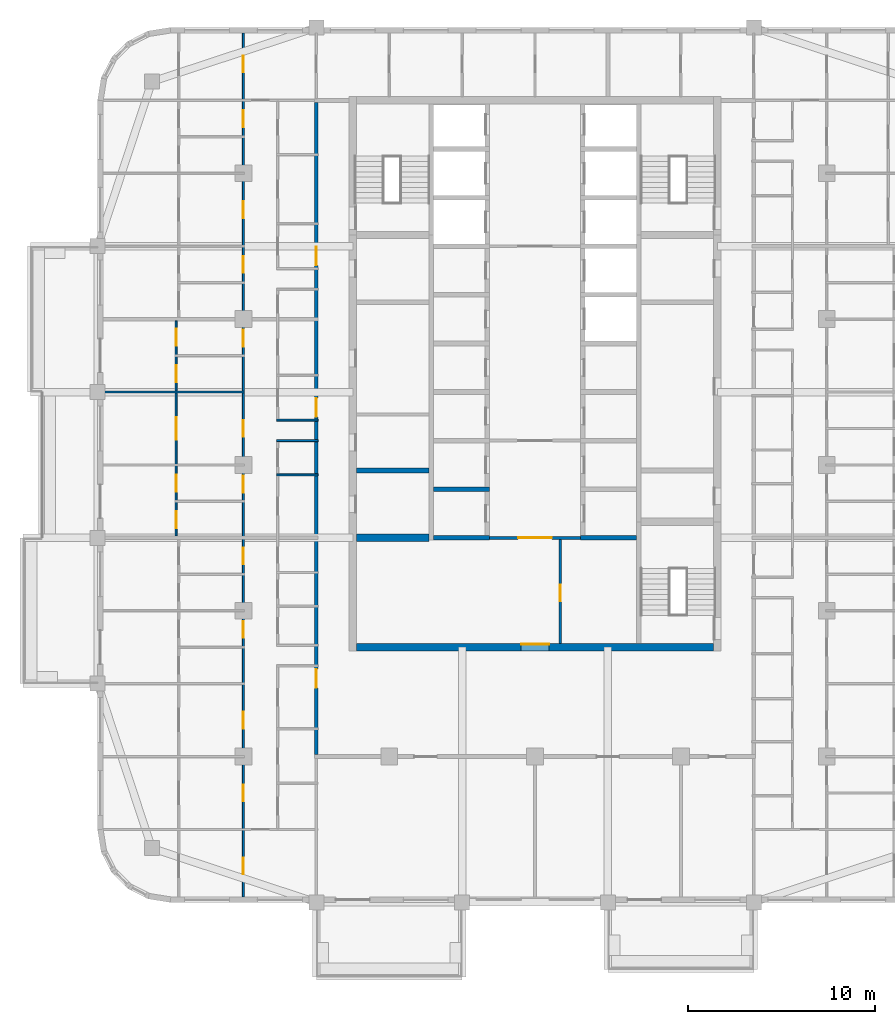
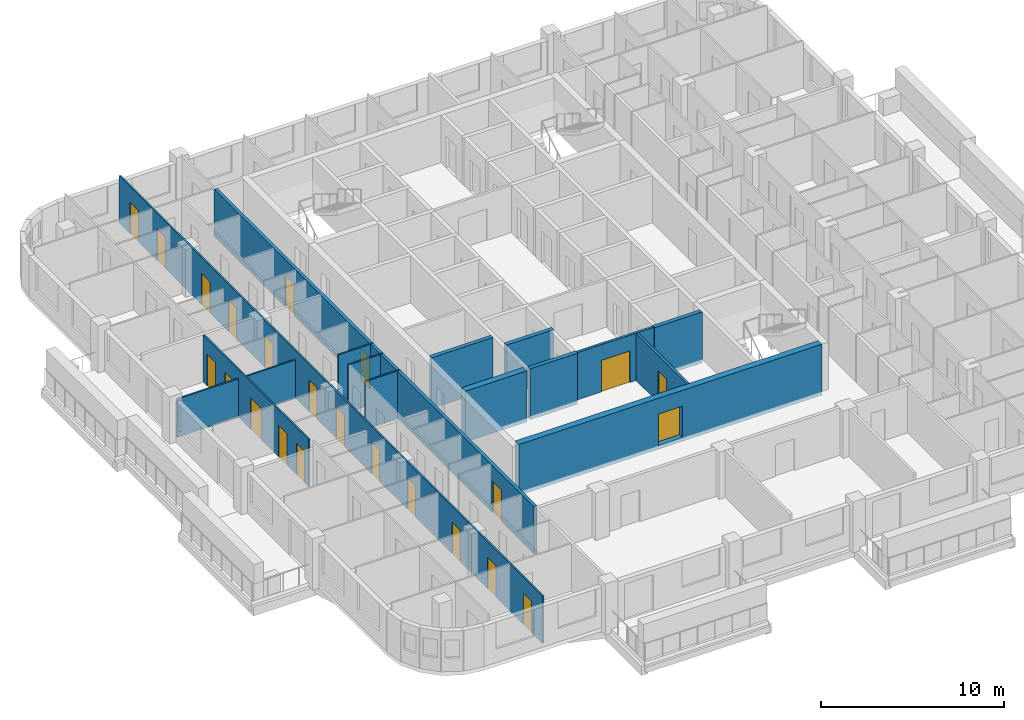
# One storey, part 4 of 16: 23 doors, 15 walls, 23 openings.
"""IFC4 building model written with IfcOpenShell, lengths in metres."""

from ifc_helpers import new_model, si_unit, direction, frame, frame_2d, origin, place, context, subcontext, project, spatial, rectangle, extrude, material, layer, layer_set, type_object, element, fill, save


model = new_model("IFC4")

# Units and contexts
model_context = context("Model", 3, precision=1e-05, world=origin(), true_north=direction((0.0, 1.0)))
body_context = subcontext(model_context, "Body", "Model", "MODEL_VIEW")
ifc_project = project(units=[si_unit("LENGTHUNIT", "METRE"), si_unit("AREAUNIT", "SQUARE_METRE"), si_unit("VOLUMEUNIT", "CUBIC_METRE"), si_unit("PLANEANGLEUNIT", "RADIAN"), si_unit("MASSUNIT", "GRAM", prefix="KILO")], contexts=[model_context])

# Site, building, storey
site_placement = place(None, origin())
site = spatial("IfcSite", under=ifc_project, at=site_placement, CompositionType="ELEMENT")
building_placement = place(site_placement, origin())
building = spatial("IfcBuilding", under=site, at=building_placement, Name="Ludao Terraces", CompositionType="ELEMENT")
storey_placement = place(building_placement, frame((0.0, 0.0, 227.89990234375)))
storey = spatial("IfcBuildingStorey", under=building, at=storey_placement, Name="L62", CompositionType="ELEMENT", Elevation=227.89990234375)

# Wall, opening, door
ifc_material_1 = material(Name="Concrete C50", Category="concrete")
ifc_layer_1 = layer(ifc_material_1, 0.39990234375)
ifc_layer_set_1 = layer_set([ifc_layer_1], Name="Core wall 400 C50")
wall_type_1 = type_object("IfcWallType", Name="Core wall 400 C50", PredefinedType="SOLIDWALL", material=ifc_layer_set_1)
wall_1_placement = place(storey_placement, frame((75.449951171875, 55.25, -0.25), z_axis=(0.0, 0.0, 1.0), x_axis=(1.0, 0.0, 0.0)))
wall_1 = element("IfcWall", 1, at=wall_1_placement, inside=storey, type_object=wall_type_1, Name="Core wall L62 outer-S", PredefinedType="SOLIDWALL", context=body_context, shape_type="SweptSolid", body=[
    extrude(rectangle(XDim=19.10009765625, YDim=0.39990234375, at=frame_2d((9.550048828125, 0.0))), origin(), (0.0, 0.0, 1.0), 3.400146484375),
])
opening_1_placement = place(wall_1_placement, frame((8.800048828125, 0.0, 0.25)))
opening_1 = element("IfcOpeningElement", 2, at=opening_1_placement, cuts=wall_1, Name="Opening R22-028", PredefinedType="OPENING", context=body_context, shape_type="SweptSolid", body=[
    extrude(rectangle(XDim=1.5, YDim=2.10009765625, at=frame_2d((0.75, 1.050048828125))), frame((0.0, 0.2099609375, 0.0), z_axis=(0.0, -1.0, 0.0), x_axis=(1.0, 0.0, 0.0)), (0.0, 0.0, 1.0), 0.419921875),
])
ifc_material_2 = material(Name="Steel Q235", Category="steel")
door_type_1 = type_object("IfcDoorType", Name="INT Lobby door 1500", OperationType="DOUBLE_DOOR_SINGLE_SWING", PredefinedType="DOOR", material=ifc_material_2)
door_1_placement = place(opening_1_placement, origin())
door_1 = element("IfcDoor", 3, at=door_1_placement, inside=storey, type_object=door_type_1, Name="DOOR 028", OperationType="DOUBLE_DOOR_SINGLE_SWING", OverallHeight=2.10009765625, OverallWidth=1.5, PredefinedType="DOOR", context=body_context, shape_type="SweptSolid", body=[
    extrude(rectangle(XDim=1.5, YDim=2.10009765625, at=frame_2d((0.75, 1.050048828125))), frame((0.0, 0.18505859375, 0.0), z_axis=(0.0, -1.0, 0.0), x_axis=(1.0, 0.0, 0.0)), (0.0, 0.0, 1.0), 0.050048828125),
])
fill(opening_1, door_1)

ifc_material_3 = material(Name="Fire-rated gypsum plasterboard", Category="gypsum")
ifc_layer_2 = layer(ifc_material_3, 0.012451171875, Category="gypsum")
ifc_material_4 = material(Name="Mineral wool")
ifc_layer_3 = layer(ifc_material_4, 0.10009765625, Name="insulation")
ifc_layer_4 = layer(ifc_material_2, 0.02490234375, Name="stud")
ifc_layer_5 = layer(ifc_material_3, 0.012451171875, Category="gypsum")
ifc_layer_set_2 = layer_set([ifc_layer_2, ifc_layer_3, ifc_layer_4, ifc_layer_5], Name="INT Core partition 150")
wall_type_2 = type_object("IfcWallType", Name="INT Core partition 150", PredefinedType="PARTITIONING", material=ifc_layer_set_2)
wall_2_placement = place(storey_placement, frame((82.5751953125, 61.10009765625, 0.0), z_axis=(0.0, 0.0, 1.0), x_axis=(1.0, 0.0, 0.0)))
wall_2 = element("IfcWall", 4, at=wall_2_placement, inside=storey, type_object=wall_type_2, Name="PW-L62-PW026", PredefinedType="PARTITIONING", context=body_context, shape_type="SweptSolid", body=[
    extrude(rectangle(XDim=4.849853515625, YDim=0.14990234375, at=frame_2d((2.4248046875, 0.0))), origin(), (0.0, 0.0, 1.0), 3.150146484375),
])
opening_2_placement = place(wall_2_placement, frame((1.52490234375, 0.0, 0.0)))
opening_2 = element("IfcOpeningElement", 5, at=opening_2_placement, cuts=wall_2, Name="Opening R22-047", PredefinedType="OPENING", context=body_context, shape_type="SweptSolid", body=[
    extrude(rectangle(XDim=1.800048828125, YDim=2.10009765625, at=frame_2d((0.89990234375, 1.050048828125))), frame((0.0, 0.0849609375, 0.0), z_axis=(0.0, -1.0, 0.0), x_axis=(1.0, 0.0, 0.0)), (0.0, 0.0, 1.0), 0.169921875),
])
door_type_2 = type_object("IfcDoorType", Name="INT Fire lobby door 1800", OperationType="DOUBLE_DOOR_SINGLE_SWING", PredefinedType="DOOR", material=ifc_material_2)
door_2_placement = place(opening_2_placement, origin())
door_2 = element("IfcDoor", 6, at=door_2_placement, inside=storey, type_object=door_type_2, Name="DOOR 047", OperationType="DOUBLE_DOOR_SINGLE_SWING", OverallHeight=2.10009765625, OverallWidth=1.800048828125, PredefinedType="DOOR", context=body_context, shape_type="SweptSolid", body=[
    extrude(rectangle(XDim=1.800048828125, YDim=2.10009765625, at=frame_2d((0.89990234375, 1.050048828125))), frame((0.0, 0.02490234375, 0.0), z_axis=(0.0, -1.0, 0.0), x_axis=(1.0, 0.0, 0.0)), (0.0, 0.0, 1.0), 0.050048828125),
])
fill(opening_2, door_2)

wall_3_placement = place(storey_placement, frame((86.35009765625, 55.4501953125, 0.0), z_axis=(0.0, 0.0, 1.0), x_axis=(0.0, 1.0, 0.0)))
wall_3 = element("IfcWall", 7, at=wall_3_placement, inside=storey, type_object=wall_type_2, Name="PW-L62-PW084", PredefinedType="PARTITIONING", context=body_context, shape_type="SweptSolid", body=[
    extrude(rectangle(XDim=5.574951171875, YDim=0.14990234375, at=frame_2d((2.78759765625, 0.0))), origin(), (0.0, 0.0, 1.0), 3.150146484375),
])
opening_3_placement = place(wall_3_placement, frame((2.25, 0.0, 0.0)))
opening_3 = element("IfcOpeningElement", 8, at=opening_3_placement, cuts=wall_3, Name="Opening R22-036", PredefinedType="OPENING", context=body_context, shape_type="SweptSolid", body=[
    extrude(rectangle(XDim=0.89990234375, YDim=2.10009765625, at=frame_2d((0.449951171875, 1.050048828125))), frame((0.0, 0.0849609375, 0.0), z_axis=(0.0, -1.0, 0.0), x_axis=(1.0, 0.0, 0.0)), (0.0, 0.0, 1.0), 0.169921875),
])
ifc_material_5 = material(Name="Timber door leaf", Category="wood")
door_type_3 = type_object("IfcDoorType", Name="INT Room door 900", OperationType="SINGLE_SWING_LEFT", PredefinedType="DOOR", material=ifc_material_5)
door_3_placement = place(opening_3_placement, origin())
door_3 = element("IfcDoor", 9, at=door_3_placement, inside=storey, type_object=door_type_3, Name="DOOR 036", OperationType="SINGLE_SWING_RIGHT", OverallHeight=2.10009765625, OverallWidth=0.89990234375, PredefinedType="DOOR", context=body_context, shape_type="SweptSolid", body=[
    extrude(rectangle(XDim=0.89990234375, YDim=2.10009765625, at=frame_2d((0.449951171875, 1.050048828125))), frame((0.0, 0.02490234375, 0.0), z_axis=(0.0, -1.0, 0.0), x_axis=(1.0, 0.0, 0.0)), (0.0, 0.0, 1.0), 0.050048828125),
])
fill(opening_3, door_3)

# Wall, openings, doors
ifc_material_6 = material(Name="Autoclaved aerated concrete block B06 A3.5", Category="concrete")
ifc_layer_6 = layer(ifc_material_6, 0.199951171875)
ifc_layer_set_3 = layer_set([ifc_layer_6], Name="INT Entrance wall 200")
wall_type_3 = type_object("IfcWallType", Name="INT Entrance wall 200", PredefinedType="PARTITIONING", material=ifc_layer_set_3)
wall_4_placement = place(storey_placement, frame((73.300048828125, 49.5, 0.0), z_axis=(0.0, 0.0, 1.0), x_axis=(0.0, 1.0, 0.0)))
wall_4 = element("IfcWall", 10, at=wall_4_placement, inside=storey, type_object=wall_type_3, Name="PW-L62-PW078", PredefinedType="PARTITIONING", context=body_context, shape_type="SweptSolid", body=[
    extrude(rectangle(XDim=34.900146484375, YDim=0.199951171875, at=frame_2d((17.4501953125, 0.0))), origin(), (0.0, 0.0, 1.0), 3.150146484375),
])
opening_4_placement = place(wall_4_placement, frame((3.5751953125, 0.0, 0.0)))
opening_4 = element("IfcOpeningElement", 11, at=opening_4_placement, cuts=wall_4, Name="Opening R22-025", PredefinedType="OPENING", context=body_context, shape_type="SweptSolid", body=[
    extrude(rectangle(XDim=1.0, YDim=2.10009765625, at=frame_2d((0.5, 1.050048828125))), frame((0.0, 0.10986328125, 0.0), z_axis=(0.0, -1.0, 0.0), x_axis=(1.0, 0.0, 0.0)), (0.0, 0.0, 1.0), 0.219970703125),
])
opening_5_placement = place(wall_4_placement, frame((18.0751953125, 0.0, 0.0)))
opening_5 = element("IfcOpeningElement", 12, at=opening_5_placement, cuts=wall_4, Name="Opening R22-074", PredefinedType="OPENING", context=body_context, shape_type="SweptSolid", body=[
    extrude(rectangle(XDim=1.0, YDim=2.10009765625, at=frame_2d((0.5, 1.050048828125))), frame((0.0, 0.10986328125, 0.0), z_axis=(0.0, -1.0, 0.0), x_axis=(1.0, 0.0, 0.0)), (0.0, 0.0, 1.0), 0.219970703125),
])
opening_6_placement = place(wall_4_placement, frame((26.175048828125, 0.0, 0.0)))
opening_6 = element("IfcOpeningElement", 13, at=opening_6_placement, cuts=wall_4, Name="Opening R22-103", PredefinedType="OPENING", context=body_context, shape_type="SweptSolid", body=[
    extrude(rectangle(XDim=1.0, YDim=2.10009765625, at=frame_2d((0.5, 1.050048828125))), frame((0.0, 0.10986328125, 0.0), z_axis=(0.0, -1.0, 0.0), x_axis=(1.0, 0.0, 0.0)), (0.0, 0.0, 1.0), 0.219970703125),
])
door_type_4 = type_object("IfcDoorType", Name="INT Flat entrance door 1000", OperationType="SINGLE_SWING_LEFT", PredefinedType="DOOR", material=ifc_material_2)
door_4_placement = place(opening_4_placement, origin())
door_4 = element("IfcDoor", 14, at=door_4_placement, inside=storey, type_object=door_type_4, Name="DOOR 025", OperationType="SINGLE_SWING_LEFT", OverallHeight=2.10009765625, OverallWidth=1.0, PredefinedType="DOOR", context=body_context, shape_type="SweptSolid", body=[
    extrude(rectangle(XDim=1.0, YDim=2.10009765625, at=frame_2d((0.5, 1.050048828125))), frame((0.0, 0.02490234375, 0.0), z_axis=(0.0, -1.0, 0.0), x_axis=(1.0, 0.0, 0.0)), (0.0, 0.0, 1.0), 0.050048828125),
])
fill(opening_4, door_4)
door_5_placement = place(opening_5_placement, origin())
door_5 = element("IfcDoor", 15, at=door_5_placement, inside=storey, type_object=door_type_4, Name="DOOR 074", OperationType="SINGLE_SWING_RIGHT", OverallHeight=2.10009765625, OverallWidth=1.0, PredefinedType="DOOR", context=body_context, shape_type="SweptSolid", body=[
    extrude(rectangle(XDim=1.0, YDim=2.10009765625, at=frame_2d((0.5, 1.050048828125))), frame((0.0, 0.02490234375, 0.0), z_axis=(0.0, -1.0, 0.0), x_axis=(1.0, 0.0, 0.0)), (0.0, 0.0, 1.0), 0.050048828125),
])
fill(opening_5, door_5)
door_6_placement = place(opening_6_placement, origin())
door_6 = element("IfcDoor", 16, at=door_6_placement, inside=storey, type_object=door_type_4, Name="DOOR 103", OperationType="SINGLE_SWING_RIGHT", OverallHeight=2.10009765625, OverallWidth=1.0, PredefinedType="DOOR", context=body_context, shape_type="SweptSolid", body=[
    extrude(rectangle(XDim=1.0, YDim=2.10009765625, at=frame_2d((0.5, 1.050048828125))), frame((0.0, 0.02490234375, 0.0), z_axis=(0.0, -1.0, 0.0), x_axis=(1.0, 0.0, 0.0)), (0.0, 0.0, 1.0), 0.050048828125),
])
fill(opening_6, door_6)

# Walls
ifc_material_7 = material(Name="Gypsum plasterboard", Category="gypsum")
ifc_layer_7 = layer(ifc_material_7, 0.012451171875, Category="gypsum")
ifc_layer_8 = layer(ifc_material_4, 0.06005859375, Name="insulation")
ifc_layer_9 = layer(ifc_material_2, 0.014892578125, Name="stud")
ifc_layer_10 = layer(ifc_material_7, 0.012451171875, Category="gypsum")
ifc_layer_set_4 = layer_set([ifc_layer_7, ifc_layer_8, ifc_layer_9, ifc_layer_10], Name="INT Partition 100")
wall_type_4 = type_object("IfcWallType", Name="INT Partition 100", PredefinedType="PARTITIONING", material=ifc_layer_set_4)
for number, where, z_axis, x_axis, name in (
    (17, (71.18017578125, 64.469970703125, 0.0), (0.0, 0.0, 1.0), (1.0, 0.0, 0.0), "PW-L62-PW031"),
    (18, (71.18017578125, 66.300048828125, 0.0), (0.0, 0.0, 1.0), (1.0, 0.0, 0.0), "PW-L62-PW035"),
    (19, (71.18017578125, 67.39990234375, 0.0), (0.0, 0.0, 1.0), (1.0, 0.0, 0.0), "PW-L62-PW038"),
):
    element("IfcWall", number, at=place(storey_placement, frame(where, z_axis=z_axis, x_axis=x_axis)), inside=storey, type_object=wall_type_4, Name=name, PredefinedType="PARTITIONING", context=body_context, shape_type="SweptSolid", body=[
        extrude(rectangle(XDim=2.219970703125, YDim=0.10009765625, at=frame_2d((1.10986328125, 0.0))), origin(), (0.0, 0.0, 1.0), 3.150146484375),
    ])
wall_5_placement = place(storey_placement, frame((61.900146484375, 68.89990234375, 0.0), z_axis=(0.0, 0.0, 1.0), x_axis=(1.0, 0.0, 0.0)))
element("IfcWall", 20, at=wall_5_placement, inside=storey, type_object=wall_type_4, Name="PW-L62-PW041", PredefinedType="PARTITIONING", context=body_context, shape_type="SweptSolid", body=[
    extrude(rectangle(XDim=7.550048828125, YDim=0.10009765625, at=frame_2d((3.77490234375, 0.0))), origin(), (0.0, 0.0, 1.0), 2.550048828125),
])

# Wall, openings, doors
wall_6_placement = place(storey_placement, frame((65.800048828125, 61.2001953125, 0.0), z_axis=(0.0, 0.0, 1.0), x_axis=(0.0, 1.0, 0.0)))
wall_6 = element("IfcWall", 21, at=wall_6_placement, inside=storey, type_object=wall_type_4, Name="PW-L62-PW069", PredefinedType="PARTITIONING", context=body_context, shape_type="SweptSolid", body=[
    extrude(rectangle(XDim=11.5, YDim=0.10009765625, at=frame_2d((5.75, 0.0))), origin(), (0.0, 0.0, 1.0), 3.150146484375),
])
opening_7_placement = place(wall_6_placement, frame((0.4248046875, 0.0, 0.0)))
opening_7 = element("IfcOpeningElement", 22, at=opening_7_placement, cuts=wall_6, Name="Opening R22-048", PredefinedType="OPENING", context=body_context, shape_type="SweptSolid", body=[
    extrude(rectangle(XDim=0.89990234375, YDim=2.10009765625, at=frame_2d((0.449951171875, 1.050048828125))), frame((0.0, 0.06005859375, 0.0), z_axis=(0.0, -1.0, 0.0), x_axis=(1.0, 0.0, 0.0)), (0.0, 0.0, 1.0), 0.1201171875),
])
opening_8_placement = place(wall_6_placement, frame((2.375, 0.0, 0.0)))
opening_8 = element("IfcOpeningElement", 23, at=opening_8_placement, cuts=wall_6, Name="Opening R22-058", PredefinedType="OPENING", context=body_context, shape_type="SweptSolid", body=[
    extrude(rectangle(XDim=0.89990234375, YDim=2.10009765625, at=frame_2d((0.449951171875, 1.050048828125))), frame((0.0, 0.06005859375, 0.0), z_axis=(0.0, -1.0, 0.0), x_axis=(1.0, 0.0, 0.0)), (0.0, 0.0, 1.0), 0.1201171875),
])
opening_9_placement = place(wall_6_placement, frame((5.14990234375, 0.0, 0.0)))
opening_9 = element("IfcOpeningElement", 24, at=opening_9_placement, cuts=wall_6, Name="Opening R22-067", PredefinedType="OPENING", context=body_context, shape_type="SweptSolid", body=[
    extrude(rectangle(XDim=1.199951171875, YDim=2.10009765625, at=frame_2d((0.60009765625, 1.050048828125))), frame((0.0, 0.06005859375, 0.0), z_axis=(0.0, -1.0, 0.0), x_axis=(1.0, 0.0, 0.0)), (0.0, 0.0, 1.0), 0.1201171875),
])
opening_10_placement = place(wall_6_placement, frame((8.224853515625, 0.0, 0.0)))
opening_10 = element("IfcOpeningElement", 25, at=opening_10_placement, cuts=wall_6, Name="Opening R22-077", PredefinedType="OPENING", context=body_context, shape_type="SweptSolid", body=[
    extrude(rectangle(XDim=0.89990234375, YDim=2.10009765625, at=frame_2d((0.449951171875, 1.050048828125))), frame((0.0, 0.06005859375, 0.0), z_axis=(0.0, -1.0, 0.0), x_axis=(1.0, 0.0, 0.0)), (0.0, 0.0, 1.0), 0.1201171875),
])
opening_11_placement = place(wall_6_placement, frame((10.1748046875, 0.0, 0.0)))
opening_11 = element("IfcOpeningElement", 26, at=opening_11_placement, cuts=wall_6, Name="Opening R22-086", PredefinedType="OPENING", context=body_context, shape_type="SweptSolid", body=[
    extrude(rectangle(XDim=0.89990234375, YDim=2.10009765625, at=frame_2d((0.449951171875, 1.050048828125))), frame((0.0, 0.06005859375, 0.0), z_axis=(0.0, -1.0, 0.0), x_axis=(1.0, 0.0, 0.0)), (0.0, 0.0, 1.0), 0.1201171875),
])
door_type_5 = type_object("IfcDoorType", Name="INT Bathroom door 900", OperationType="SINGLE_SWING_LEFT", PredefinedType="DOOR", material=ifc_material_5)
door_7_placement = place(opening_7_placement, origin())
door_7 = element("IfcDoor", 27, at=door_7_placement, inside=storey, type_object=door_type_5, Name="DOOR 048", OperationType="SINGLE_SWING_RIGHT", OverallHeight=2.10009765625, OverallWidth=0.89990234375, PredefinedType="DOOR", context=body_context, shape_type="SweptSolid", body=[
    extrude(rectangle(XDim=0.89990234375, YDim=2.10009765625, at=frame_2d((0.449951171875, 1.050048828125))), frame((0.0, 0.02490234375, 0.0), z_axis=(0.0, -1.0, 0.0), x_axis=(1.0, 0.0, 0.0)), (0.0, 0.0, 1.0), 0.050048828125),
])
fill(opening_7, door_7)
door_8_placement = place(opening_10_placement, origin())
door_8 = element("IfcDoor", 28, at=door_8_placement, inside=storey, type_object=door_type_5, Name="DOOR 077", OperationType="SINGLE_SWING_RIGHT", OverallHeight=2.10009765625, OverallWidth=0.89990234375, PredefinedType="DOOR", context=body_context, shape_type="SweptSolid", body=[
    extrude(rectangle(XDim=0.89990234375, YDim=2.10009765625, at=frame_2d((0.449951171875, 1.050048828125))), frame((0.0, 0.02490234375, 0.0), z_axis=(0.0, -1.0, 0.0), x_axis=(1.0, 0.0, 0.0)), (0.0, 0.0, 1.0), 0.050048828125),
])
fill(opening_10, door_8)
door_type_6 = type_object("IfcDoorType", Name="INT Double door 1200", OperationType="DOUBLE_DOOR_SINGLE_SWING", PredefinedType="DOOR", material=ifc_material_5)
door_9_placement = place(opening_9_placement, origin())
door_9 = element("IfcDoor", 29, at=door_9_placement, inside=storey, type_object=door_type_6, Name="DOOR 067", OperationType="DOUBLE_DOOR_SINGLE_SWING", OverallHeight=2.10009765625, OverallWidth=1.199951171875, PredefinedType="DOOR", context=body_context, shape_type="SweptSolid", body=[
    extrude(rectangle(XDim=1.199951171875, YDim=2.10009765625, at=frame_2d((0.60009765625, 1.050048828125))), frame((0.0, 0.02490234375, 0.0), z_axis=(0.0, -1.0, 0.0), x_axis=(1.0, 0.0, 0.0)), (0.0, 0.0, 1.0), 0.050048828125),
])
fill(opening_9, door_9)
door_10_placement = place(opening_8_placement, origin())
door_10 = element("IfcDoor", 30, at=door_10_placement, inside=storey, type_object=door_type_3, Name="DOOR 058", OperationType="SINGLE_SWING_RIGHT", OverallHeight=2.10009765625, OverallWidth=0.89990234375, PredefinedType="DOOR", context=body_context, shape_type="SweptSolid", body=[
    extrude(rectangle(XDim=0.89990234375, YDim=2.10009765625, at=frame_2d((0.449951171875, 1.050048828125))), frame((0.0, 0.02490234375, 0.0), z_axis=(0.0, -1.0, 0.0), x_axis=(1.0, 0.0, 0.0)), (0.0, 0.0, 1.0), 0.050048828125),
])
fill(opening_8, door_10)
door_11_placement = place(opening_11_placement, origin())
door_11 = element("IfcDoor", 31, at=door_11_placement, inside=storey, type_object=door_type_3, Name="DOOR 086", OperationType="SINGLE_SWING_LEFT", OverallHeight=2.10009765625, OverallWidth=0.89990234375, PredefinedType="DOOR", context=body_context, shape_type="SweptSolid", body=[
    extrude(rectangle(XDim=0.89990234375, YDim=2.10009765625, at=frame_2d((0.449951171875, 1.050048828125))), frame((0.0, 0.02490234375, 0.0), z_axis=(0.0, -1.0, 0.0), x_axis=(1.0, 0.0, 0.0)), (0.0, 0.0, 1.0), 0.050048828125),
])
fill(opening_11, door_11)

wall_7_placement = place(storey_placement, frame((69.39990234375, 41.900146484375, 0.0), z_axis=(0.0, 0.0, 1.0), x_axis=(0.0, 1.0, 0.0)))
wall_7 = element("IfcWall", 32, at=wall_7_placement, inside=storey, type_object=wall_type_4, Name="PW-L62-PW072", PredefinedType="PARTITIONING", context=body_context, shape_type="SweptSolid", body=[
    extrude(rectangle(XDim=46.199951171875, YDim=0.10009765625, at=frame_2d((23.10009765625, 0.0))), origin(), (0.0, 0.0, 1.0), 3.150146484375),
])
opening_12_placement = place(wall_7_placement, frame((1.199951171875, 0.0, 0.0)))
opening_12 = element("IfcOpeningElement", 33, at=opening_12_placement, cuts=wall_7, Name="Opening R22-002", PredefinedType="OPENING", context=body_context, shape_type="SweptSolid", body=[
    extrude(rectangle(XDim=0.89990234375, YDim=2.10009765625, at=frame_2d((0.449951171875, 1.050048828125))), frame((0.0, 0.06005859375, 0.0), z_axis=(0.0, -1.0, 0.0), x_axis=(1.0, 0.0, 0.0)), (0.0, 0.0, 1.0), 0.1201171875),
])
opening_13_placement = place(wall_7_placement, frame((5.10009765625, 0.0, 0.0)))
opening_13 = element("IfcOpeningElement", 34, at=opening_13_placement, cuts=wall_7, Name="Opening R22-011", PredefinedType="OPENING", context=body_context, shape_type="SweptSolid", body=[
    extrude(rectangle(XDim=0.89990234375, YDim=2.10009765625, at=frame_2d((0.449951171875, 1.050048828125))), frame((0.0, 0.06005859375, 0.0), z_axis=(0.0, -1.0, 0.0), x_axis=(1.0, 0.0, 0.0)), (0.0, 0.0, 1.0), 0.1201171875),
])
opening_14_placement = place(wall_7_placement, frame((9.0, 0.0, 0.0)))
opening_14 = element("IfcOpeningElement", 35, at=opening_14_placement, cuts=wall_7, Name="Opening R22-020", PredefinedType="OPENING", context=body_context, shape_type="SweptSolid", body=[
    extrude(rectangle(XDim=0.89990234375, YDim=2.10009765625, at=frame_2d((0.449951171875, 1.050048828125))), frame((0.0, 0.06005859375, 0.0), z_axis=(0.0, -1.0, 0.0), x_axis=(1.0, 0.0, 0.0)), (0.0, 0.0, 1.0), 0.1201171875),
])
opening_15_placement = place(wall_7_placement, frame((13.85009765625, 0.0, 0.0)))
opening_15 = element("IfcOpeningElement", 36, at=opening_15_placement, cuts=wall_7, Name="Opening R22-031", PredefinedType="OPENING", context=body_context, shape_type="SweptSolid", body=[
    extrude(rectangle(XDim=0.89990234375, YDim=2.10009765625, at=frame_2d((0.449951171875, 1.050048828125))), frame((0.0, 0.06005859375, 0.0), z_axis=(0.0, -1.0, 0.0), x_axis=(1.0, 0.0, 0.0)), (0.0, 0.0, 1.0), 0.1201171875),
])
opening_16_placement = place(wall_7_placement, frame((17.77490234375, 0.0, 0.0)))
opening_16 = element("IfcOpeningElement", 37, at=opening_16_placement, cuts=wall_7, Name="Opening R22-043", PredefinedType="OPENING", context=body_context, shape_type="SweptSolid", body=[
    extrude(rectangle(XDim=0.89990234375, YDim=2.10009765625, at=frame_2d((0.449951171875, 1.050048828125))), frame((0.0, 0.06005859375, 0.0), z_axis=(0.0, -1.0, 0.0), x_axis=(1.0, 0.0, 0.0)), (0.0, 0.0, 1.0), 0.1201171875),
])
opening_17_placement = place(wall_7_placement, frame((21.625, 0.0, 0.0)))
opening_17 = element("IfcOpeningElement", 38, at=opening_17_placement, cuts=wall_7, Name="Opening R22-056", PredefinedType="OPENING", context=body_context, shape_type="SweptSolid", body=[
    extrude(rectangle(XDim=0.89990234375, YDim=2.10009765625, at=frame_2d((0.449951171875, 1.050048828125))), frame((0.0, 0.06005859375, 0.0), z_axis=(0.0, -1.0, 0.0), x_axis=(1.0, 0.0, 0.0)), (0.0, 0.0, 1.0), 0.1201171875),
])
opening_18_placement = place(wall_7_placement, frame((24.60009765625, 0.0, 0.0)))
opening_18 = element("IfcOpeningElement", 39, at=opening_18_placement, cuts=wall_7, Name="Opening R22-068", PredefinedType="OPENING", context=body_context, shape_type="SweptSolid", body=[
    extrude(rectangle(XDim=0.89990234375, YDim=2.10009765625, at=frame_2d((0.449951171875, 1.050048828125))), frame((0.0, 0.06005859375, 0.0), z_axis=(0.0, -1.0, 0.0), x_axis=(1.0, 0.0, 0.0)), (0.0, 0.0, 1.0), 0.1201171875),
])
opening_19_placement = place(wall_7_placement, frame((29.425048828125, 0.0, 0.0)))
opening_19 = element("IfcOpeningElement", 40, at=opening_19_placement, cuts=wall_7, Name="Opening R22-085", PredefinedType="OPENING", context=body_context, shape_type="SweptSolid", body=[
    extrude(rectangle(XDim=0.89990234375, YDim=2.10009765625, at=frame_2d((0.449951171875, 1.050048828125))), frame((0.0, 0.06005859375, 0.0), z_axis=(0.0, -1.0, 0.0), x_axis=(1.0, 0.0, 0.0)), (0.0, 0.0, 1.0), 0.1201171875),
])
opening_20_placement = place(wall_7_placement, frame((33.375, 0.0, 0.0)))
opening_20 = element("IfcOpeningElement", 41, at=opening_20_placement, cuts=wall_7, Name="Opening R22-100", PredefinedType="OPENING", context=body_context, shape_type="SweptSolid", body=[
    extrude(rectangle(XDim=0.89990234375, YDim=2.10009765625, at=frame_2d((0.449951171875, 1.050048828125))), frame((0.0, 0.06005859375, 0.0), z_axis=(0.0, -1.0, 0.0), x_axis=(1.0, 0.0, 0.0)), (0.0, 0.0, 1.0), 0.1201171875),
])
opening_21_placement = place(wall_7_placement, frame((36.300048828125, 0.0, 0.0)))
opening_21 = element("IfcOpeningElement", 42, at=opening_21_placement, cuts=wall_7, Name="Opening R22-112", PredefinedType="OPENING", context=body_context, shape_type="SweptSolid", body=[
    extrude(rectangle(XDim=0.89990234375, YDim=2.10009765625, at=frame_2d((0.449951171875, 1.050048828125))), frame((0.0, 0.06005859375, 0.0), z_axis=(0.0, -1.0, 0.0), x_axis=(1.0, 0.0, 0.0)), (0.0, 0.0, 1.0), 0.1201171875),
])
opening_22_placement = place(wall_7_placement, frame((41.175048828125, 0.0, 0.0)))
opening_22 = element("IfcOpeningElement", 43, at=opening_22_placement, cuts=wall_7, Name="Opening R22-128", PredefinedType="OPENING", context=body_context, shape_type="SweptSolid", body=[
    extrude(rectangle(XDim=0.89990234375, YDim=2.10009765625, at=frame_2d((0.449951171875, 1.050048828125))), frame((0.0, 0.06005859375, 0.0), z_axis=(0.0, -1.0, 0.0), x_axis=(1.0, 0.0, 0.0)), (0.0, 0.0, 1.0), 0.1201171875),
])
opening_23_placement = place(wall_7_placement, frame((44.10009765625, 0.0, 0.0)))
opening_23 = element("IfcOpeningElement", 44, at=opening_23_placement, cuts=wall_7, Name="Opening R22-132", PredefinedType="OPENING", context=body_context, shape_type="SweptSolid", body=[
    extrude(rectangle(XDim=0.89990234375, YDim=2.10009765625, at=frame_2d((0.449951171875, 1.050048828125))), frame((0.0, 0.06005859375, 0.0), z_axis=(0.0, -1.0, 0.0), x_axis=(1.0, 0.0, 0.0)), (0.0, 0.0, 1.0), 0.1201171875),
])
door_12_placement = place(opening_12_placement, origin())
door_12 = element("IfcDoor", 45, at=door_12_placement, inside=storey, type_object=door_type_3, Name="DOOR 002", OperationType="SINGLE_SWING_LEFT", OverallHeight=2.10009765625, OverallWidth=0.89990234375, PredefinedType="DOOR", context=body_context, shape_type="SweptSolid", body=[
    extrude(rectangle(XDim=0.89990234375, YDim=2.10009765625, at=frame_2d((0.449951171875, 1.050048828125))), frame((0.0, 0.02490234375, 0.0), z_axis=(0.0, -1.0, 0.0), x_axis=(1.0, 0.0, 0.0)), (0.0, 0.0, 1.0), 0.050048828125),
])
fill(opening_12, door_12)
door_13_placement = place(opening_13_placement, origin())
door_13 = element("IfcDoor", 46, at=door_13_placement, inside=storey, type_object=door_type_3, Name="DOOR 011", OperationType="SINGLE_SWING_RIGHT", OverallHeight=2.10009765625, OverallWidth=0.89990234375, PredefinedType="DOOR", context=body_context, shape_type="SweptSolid", body=[
    extrude(rectangle(XDim=0.89990234375, YDim=2.10009765625, at=frame_2d((0.449951171875, 1.050048828125))), frame((0.0, 0.02490234375, 0.0), z_axis=(0.0, -1.0, 0.0), x_axis=(1.0, 0.0, 0.0)), (0.0, 0.0, 1.0), 0.050048828125),
])
fill(opening_13, door_13)
door_14_placement = place(opening_14_placement, origin())
door_14 = element("IfcDoor", 47, at=door_14_placement, inside=storey, type_object=door_type_3, Name="DOOR 020", OperationType="SINGLE_SWING_LEFT", OverallHeight=2.10009765625, OverallWidth=0.89990234375, PredefinedType="DOOR", context=body_context, shape_type="SweptSolid", body=[
    extrude(rectangle(XDim=0.89990234375, YDim=2.10009765625, at=frame_2d((0.449951171875, 1.050048828125))), frame((0.0, 0.02490234375, 0.0), z_axis=(0.0, -1.0, 0.0), x_axis=(1.0, 0.0, 0.0)), (0.0, 0.0, 1.0), 0.050048828125),
])
fill(opening_14, door_14)
door_15_placement = place(opening_15_placement, origin())
door_15 = element("IfcDoor", 48, at=door_15_placement, inside=storey, type_object=door_type_3, Name="DOOR 031", OperationType="SINGLE_SWING_LEFT", OverallHeight=2.10009765625, OverallWidth=0.89990234375, PredefinedType="DOOR", context=body_context, shape_type="SweptSolid", body=[
    extrude(rectangle(XDim=0.89990234375, YDim=2.10009765625, at=frame_2d((0.449951171875, 1.050048828125))), frame((0.0, 0.02490234375, 0.0), z_axis=(0.0, -1.0, 0.0), x_axis=(1.0, 0.0, 0.0)), (0.0, 0.0, 1.0), 0.050048828125),
])
fill(opening_15, door_15)
door_16_placement = place(opening_16_placement, origin())
door_16 = element("IfcDoor", 49, at=door_16_placement, inside=storey, type_object=door_type_3, Name="DOOR 043", OperationType="SINGLE_SWING_LEFT", OverallHeight=2.10009765625, OverallWidth=0.89990234375, PredefinedType="DOOR", context=body_context, shape_type="SweptSolid", body=[
    extrude(rectangle(XDim=0.89990234375, YDim=2.10009765625, at=frame_2d((0.449951171875, 1.050048828125))), frame((0.0, 0.02490234375, 0.0), z_axis=(0.0, -1.0, 0.0), x_axis=(1.0, 0.0, 0.0)), (0.0, 0.0, 1.0), 0.050048828125),
])
fill(opening_16, door_16)
door_17_placement = place(opening_17_placement, origin())
door_17 = element("IfcDoor", 50, at=door_17_placement, inside=storey, type_object=door_type_3, Name="DOOR 056", OperationType="SINGLE_SWING_LEFT", OverallHeight=2.10009765625, OverallWidth=0.89990234375, PredefinedType="DOOR", context=body_context, shape_type="SweptSolid", body=[
    extrude(rectangle(XDim=0.89990234375, YDim=2.10009765625, at=frame_2d((0.449951171875, 1.050048828125))), frame((0.0, 0.02490234375, 0.0), z_axis=(0.0, -1.0, 0.0), x_axis=(1.0, 0.0, 0.0)), (0.0, 0.0, 1.0), 0.050048828125),
])
fill(opening_17, door_17)
door_18_placement = place(opening_18_placement, origin())
door_18 = element("IfcDoor", 51, at=door_18_placement, inside=storey, type_object=door_type_3, Name="DOOR 068", OperationType="SINGLE_SWING_LEFT", OverallHeight=2.10009765625, OverallWidth=0.89990234375, PredefinedType="DOOR", context=body_context, shape_type="SweptSolid", body=[
    extrude(rectangle(XDim=0.89990234375, YDim=2.10009765625, at=frame_2d((0.449951171875, 1.050048828125))), frame((0.0, 0.02490234375, 0.0), z_axis=(0.0, -1.0, 0.0), x_axis=(1.0, 0.0, 0.0)), (0.0, 0.0, 1.0), 0.050048828125),
])
fill(opening_18, door_18)
door_19_placement = place(opening_19_placement, origin())
door_19 = element("IfcDoor", 52, at=door_19_placement, inside=storey, type_object=door_type_3, Name="DOOR 085", OperationType="SINGLE_SWING_LEFT", OverallHeight=2.10009765625, OverallWidth=0.89990234375, PredefinedType="DOOR", context=body_context, shape_type="SweptSolid", body=[
    extrude(rectangle(XDim=0.89990234375, YDim=2.10009765625, at=frame_2d((0.449951171875, 1.050048828125))), frame((0.0, 0.02490234375, 0.0), z_axis=(0.0, -1.0, 0.0), x_axis=(1.0, 0.0, 0.0)), (0.0, 0.0, 1.0), 0.050048828125),
])
fill(opening_19, door_19)
door_20_placement = place(opening_20_placement, origin())
door_20 = element("IfcDoor", 53, at=door_20_placement, inside=storey, type_object=door_type_3, Name="DOOR 100", OperationType="SINGLE_SWING_LEFT", OverallHeight=2.10009765625, OverallWidth=0.89990234375, PredefinedType="DOOR", context=body_context, shape_type="SweptSolid", body=[
    extrude(rectangle(XDim=0.89990234375, YDim=2.10009765625, at=frame_2d((0.449951171875, 1.050048828125))), frame((0.0, 0.02490234375, 0.0), z_axis=(0.0, -1.0, 0.0), x_axis=(1.0, 0.0, 0.0)), (0.0, 0.0, 1.0), 0.050048828125),
])
fill(opening_20, door_20)
door_21_placement = place(opening_21_placement, origin())
door_21 = element("IfcDoor", 54, at=door_21_placement, inside=storey, type_object=door_type_3, Name="DOOR 112", OperationType="SINGLE_SWING_LEFT", OverallHeight=2.10009765625, OverallWidth=0.89990234375, PredefinedType="DOOR", context=body_context, shape_type="SweptSolid", body=[
    extrude(rectangle(XDim=0.89990234375, YDim=2.10009765625, at=frame_2d((0.449951171875, 1.050048828125))), frame((0.0, 0.02490234375, 0.0), z_axis=(0.0, -1.0, 0.0), x_axis=(1.0, 0.0, 0.0)), (0.0, 0.0, 1.0), 0.050048828125),
])
fill(opening_21, door_21)
door_22_placement = place(opening_22_placement, origin())
door_22 = element("IfcDoor", 55, at=door_22_placement, inside=storey, type_object=door_type_3, Name="DOOR 128", OperationType="SINGLE_SWING_LEFT", OverallHeight=2.10009765625, OverallWidth=0.89990234375, PredefinedType="DOOR", context=body_context, shape_type="SweptSolid", body=[
    extrude(rectangle(XDim=0.89990234375, YDim=2.10009765625, at=frame_2d((0.449951171875, 1.050048828125))), frame((0.0, 0.02490234375, 0.0), z_axis=(0.0, -1.0, 0.0), x_axis=(1.0, 0.0, 0.0)), (0.0, 0.0, 1.0), 0.050048828125),
])
fill(opening_22, door_22)
door_23_placement = place(opening_23_placement, origin())
door_23 = element("IfcDoor", 56, at=door_23_placement, inside=storey, type_object=door_type_3, Name="DOOR 132", OperationType="SINGLE_SWING_RIGHT", OverallHeight=2.10009765625, OverallWidth=0.89990234375, PredefinedType="DOOR", context=body_context, shape_type="SweptSolid", body=[
    extrude(rectangle(XDim=0.89990234375, YDim=2.10009765625, at=frame_2d((0.449951171875, 1.050048828125))), frame((0.0, 0.02490234375, 0.0), z_axis=(0.0, -1.0, 0.0), x_axis=(1.0, 0.0, 0.0)), (0.0, 0.0, 1.0), 0.050048828125),
])
fill(opening_23, door_23)

# Walls
ifc_layer_11 = layer(ifc_material_1, 0.25)
ifc_layer_set_5 = layer_set([ifc_layer_11], Name="Shaft wall 250 C50")
wall_type_5 = type_object("IfcWallType", Name="Shaft wall 250 C50", PredefinedType="SOLIDWALL", material=ifc_layer_set_5)
for number, where, z_axis, x_axis, name in (
    (57, (79.574951171875, 61.10009765625, -0.25), (0.0, 0.0, 1.0), (1.0, 0.0, 0.0), "Core wall L62 div-W1"),
    (58, (79.574951171875, 63.699951171875, -0.25), (0.0, 0.0, 1.0), (1.0, 0.0, 0.0), "Core wall L62 div-W2"),
    (59, (87.425048828125, 61.10009765625, -0.25), (0.0, 0.0, 1.0), (1.0, 0.0, 0.0), "Core wall L62 div-E1"),
):
    element("IfcWall", number, at=place(storey_placement, frame(where, z_axis=z_axis, x_axis=x_axis)), inside=storey, type_object=wall_type_5, Name=name, PredefinedType="SOLIDWALL", context=body_context, shape_type="SweptSolid", body=[
        extrude(rectangle(XDim=3.0, YDim=0.25, at=frame_2d((1.5, 0.0))), origin(), (0.0, 0.0, 1.0), 3.400146484375),
    ])
wall_8_placement = place(storey_placement, frame((75.449951171875, 64.699951171875, -0.25), z_axis=(0.0, 0.0, 1.0), x_axis=(1.0, 0.0, 0.0)))
element("IfcWall", 60, at=wall_8_placement, inside=storey, type_object=wall_type_5, Name="Core wall L62 riser-a-W", PredefinedType="SOLIDWALL", context=body_context, shape_type="SweptSolid", body=[
    extrude(rectangle(XDim=3.875, YDim=0.25, at=frame_2d((1.9375, 0.0))), origin(), (0.0, 0.0, 1.0), 3.400146484375),
])
ifc_layer_12 = layer(ifc_material_1, 0.39990234375)
ifc_layer_set_6 = layer_set([ifc_layer_12], Name="Shaft wall 400 C50")
wall_type_6 = type_object("IfcWallType", Name="Shaft wall 400 C50", PredefinedType="SOLIDWALL", material=ifc_layer_set_6)
wall_9_placement = place(storey_placement, frame((75.449951171875, 61.10009765625, -0.25), z_axis=(0.0, 0.0, 1.0), x_axis=(1.0, 0.0, 0.0)))
element("IfcWall", 61, at=wall_9_placement, inside=storey, type_object=wall_type_6, Name="Core wall L62 hall-W", PredefinedType="SOLIDWALL", context=body_context, shape_type="SweptSolid", body=[
    extrude(rectangle(XDim=3.875, YDim=0.39990234375, at=frame_2d((1.9375, 0.0))), origin(), (0.0, 0.0, 1.0), 3.400146484375),
])

save(model, "model.ifc")
